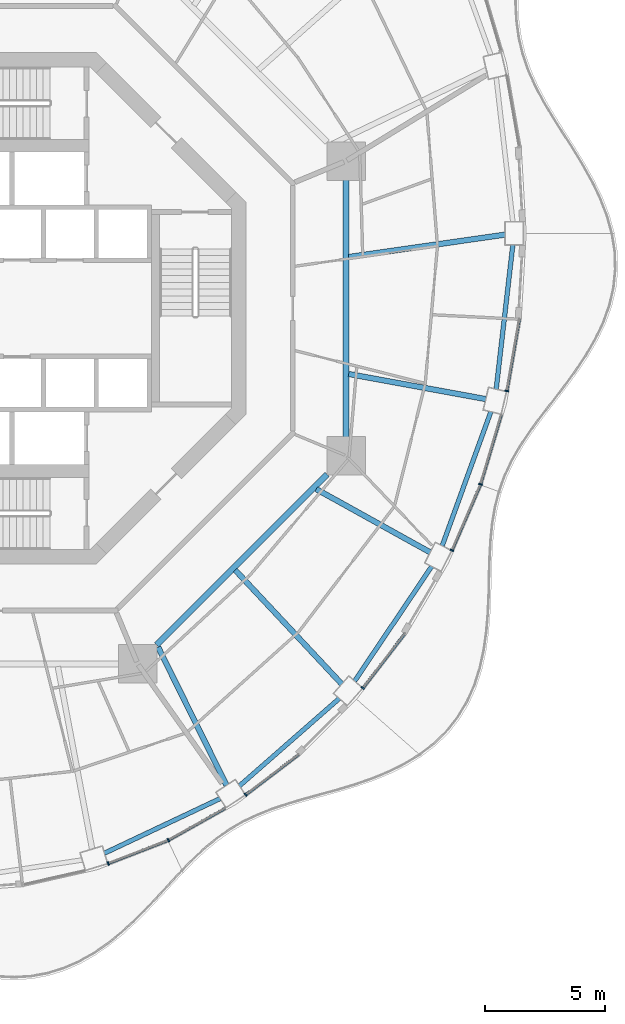
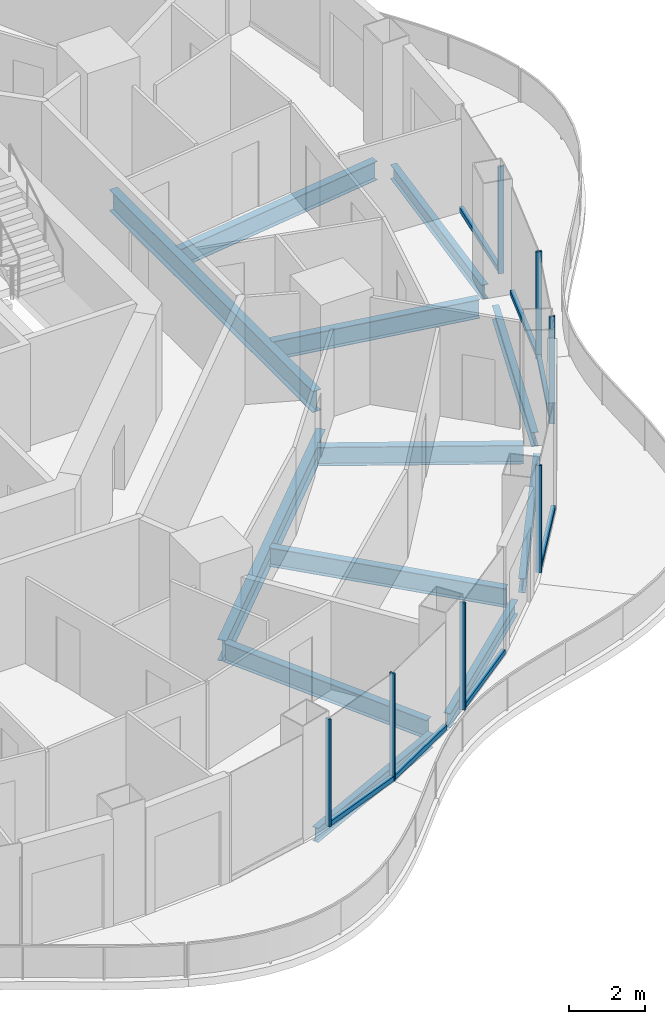
# One storey, part 4 of 18: 14 members, 12 beams, 7 elements without a shape of their own.
"""IFC4 building model written with IfcOpenShell, lengths in metres."""

from ifc_helpers import new_model, si_unit, direction, frame, origin, origin_2d, place, context, subcontext, project, spatial, rectangle, i_section, extrude, material, layer, layer_set, material_profile, profile_set, type_object, element, aggregate, save


model = new_model("IFC4")

# Units and contexts
model_context = context("Model", 3, precision=1e-05, world=origin(), true_north=direction((0.0, 1.0)))
body_context = subcontext(model_context, "Body", "Model", "MODEL_VIEW")
ifc_project = project(units=[si_unit("LENGTHUNIT", "METRE"), si_unit("AREAUNIT", "SQUARE_METRE"), si_unit("VOLUMEUNIT", "CUBIC_METRE"), si_unit("PLANEANGLEUNIT", "RADIAN"), si_unit("MASSUNIT", "GRAM", prefix="KILO")], contexts=[model_context])

# Site, building, storey
site_placement = place(None, origin())
site = spatial("IfcSite", under=ifc_project, at=site_placement, CompositionType="ELEMENT")
building_placement = place(site_placement, origin())
building = spatial("IfcBuilding", under=site, at=building_placement, Name="Nagisa Residences", CompositionType="ELEMENT")
storey_placement = place(building_placement, frame((0.0, 0.0, 219.60009765625)))
storey = spatial("IfcBuildingStorey", under=building, at=storey_placement, Name="L55", CompositionType="ELEMENT", Elevation=219.60009765625)

# Curtain wall, member
ifc_material_1 = material(Name="Concrete-coloured aluminium curtain wall system", Category="concrete")
ifc_layer = layer(ifc_material_1, 0.159912109375)
ifc_layer_set = layer_set([ifc_layer], Name="CW1 CURTAIN WALL")
curtain_wall_type = type_object("IfcCurtainWallType", Name="CW1 CURTAIN WALL", PredefinedType="NOTDEFINED", material=ifc_layer_set)
curtain_wall_1_placement = place(storey_placement, origin())
curtain_wall_1 = element("IfcCurtainWall", 1, at=curtain_wall_1_placement, inside=storey, type_object=curtain_wall_type, Name="cw:CW1:L55:38", PredefinedType="NOTDEFINED")
ifc_material_2 = material(Name="Concrete-coloured aluminium", Category="concrete")
ifc_material_profile_1 = material_profile(ifc_material_2, rectangle(XDim=0.159912109375, YDim=0.06005859375, at=origin_2d()), Name="CW1 MULLION 160x60")
ifc_profile_set_1 = profile_set([ifc_material_profile_1], Name="Concrete-coloured aluminium")
member_type_1 = type_object("IfcMemberType", Name="CW1 MULLION 160x60", PredefinedType="MULLION", material=ifc_profile_set_1)
member_1_placement = place(storey_placement, frame((4.895263671875, -23.073486328125, 0.0), z_axis=(0.0, 0.0, 1.0), x_axis=(-0.360327770268, 0.932825759707, 0.0)))
member_1 = element("IfcMember", 2, at=member_1_placement, type_object=member_type_1, Name="CW1 mullion", PredefinedType="MULLION", context=body_context, shape_type="SweptSolid", body=[
    extrude(rectangle(XDim=0.159912109375, YDim=0.06005859375, at=origin_2d()), origin(), (0.0, 0.0, 1.0), 3.43994140625),
])

curtain_wall_2_placement = place(storey_placement, origin())
curtain_wall_2 = element("IfcCurtainWall", 3, at=curtain_wall_2_placement, inside=storey, type_object=curtain_wall_type, Name="cw:CW1:L55:39", PredefinedType="NOTDEFINED")
member_2_placement = place(storey_placement, frame((7.398193359375, -22.10302734375, 0.0), z_axis=(0.0, 0.0, 1.0), x_axis=(-0.489376918501, 0.872072377523, 0.0)))
member_2 = element("IfcMember", 4, at=member_2_placement, type_object=member_type_1, Name="CW1 mullion", PredefinedType="MULLION", context=body_context, shape_type="SweptSolid", body=[
    extrude(rectangle(XDim=0.159912109375, YDim=0.06005859375, at=origin_2d()), origin(), (0.0, 0.0, 1.0), 3.43994140625),
])

curtain_wall_3_placement = place(storey_placement, origin())
curtain_wall_3 = element("IfcCurtainWall", 5, at=curtain_wall_3_placement, inside=storey, type_object=curtain_wall_type, Name="cw:CW1:L55:40", PredefinedType="NOTDEFINED")
member_3_placement = place(storey_placement, frame((10.6083984375, -20.21826171875, 0.0), z_axis=(0.0, 0.0, 1.0), x_axis=(-0.605255421737, 0.79603132756, 0.0)))
member_3 = element("IfcMember", 6, at=member_3_placement, type_object=member_type_1, Name="CW1 mullion", PredefinedType="MULLION", context=body_context, shape_type="SweptSolid", body=[
    extrude(rectangle(XDim=0.159912109375, YDim=0.06005859375, at=origin_2d()), origin(), (0.0, 0.0, 1.0), 3.43994140625),
])

curtain_wall_4_placement = place(storey_placement, origin())
curtain_wall_4 = element("IfcCurtainWall", 7, at=curtain_wall_4_placement, inside=storey, type_object=curtain_wall_type, Name="cw:CW1:L55:42", PredefinedType="NOTDEFINED")
member_4_placement = place(storey_placement, frame((15.480224609375, -15.78125, 0.0), z_axis=(0.0, 0.0, 1.0), x_axis=(-0.792070340816, 0.610429828235, 0.0)))
member_4 = element("IfcMember", 8, at=member_4_placement, type_object=member_type_1, Name="CW1 mullion", PredefinedType="MULLION", context=body_context, shape_type="SweptSolid", body=[
    extrude(rectangle(XDim=0.159912109375, YDim=0.06005859375, at=origin_2d()), origin(), (0.0, 0.0, 1.0), 3.43994140625),
])

curtain_wall_5_placement = place(storey_placement, origin())
curtain_wall_5 = element("IfcCurtainWall", 9, at=curtain_wall_5_placement, inside=storey, type_object=curtain_wall_type, Name="cw:CW1:L55:44", PredefinedType="NOTDEFINED")
member_5_placement = place(storey_placement, frame((19.1826171875, -10.05908203125, 0.0), z_axis=(0.0, 0.0, 1.0), x_axis=(-0.917543276295, 0.397635934147, 0.0)))
member_5 = element("IfcMember", 10, at=member_5_placement, type_object=member_type_1, Name="CW1 mullion", PredefinedType="MULLION", context=body_context, shape_type="SweptSolid", body=[
    extrude(rectangle(XDim=0.159912109375, YDim=0.06005859375, at=origin_2d()), origin(), (0.0, 0.0, 1.0), 3.43994140625),
])

curtain_wall_6_placement = place(storey_placement, origin())
curtain_wall_6 = element("IfcCurtainWall", 11, at=curtain_wall_6_placement, inside=storey, type_object=curtain_wall_type, Name="cw:CW1:L55:45", PredefinedType="NOTDEFINED")
member_6_placement = place(storey_placement, frame((20.36962890625, -7.3125, 0.0), z_axis=(0.0, 0.0, 1.0), x_axis=(-0.958271310082, 0.285860274038, 0.0)))
member_6 = element("IfcMember", 12, at=member_6_placement, type_object=member_type_1, Name="CW1 mullion", PredefinedType="MULLION", context=body_context, shape_type="SweptSolid", body=[
    extrude(rectangle(XDim=0.159912109375, YDim=0.06005859375, at=origin_2d()), origin(), (0.0, 0.0, 1.0), 3.43994140625),
])

curtain_wall_7_placement = place(storey_placement, origin())
curtain_wall_7 = element("IfcCurtainWall", 13, at=curtain_wall_7_placement, inside=storey, type_object=curtain_wall_type, Name="cw:CW1:L55:46", PredefinedType="NOTDEFINED")
member_7_placement = place(storey_placement, frame((21.46240234375, -3.435546875, 0.0), z_axis=(0.0, 0.0, 1.0), x_axis=(-0.985063604377, 0.172190868898, 0.0)))
member_7 = element("IfcMember", 14, at=member_7_placement, type_object=member_type_1, Name="CW1 mullion", PredefinedType="MULLION", context=body_context, shape_type="SweptSolid", body=[
    extrude(rectangle(XDim=0.159912109375, YDim=0.06005859375, at=origin_2d()), origin(), (0.0, 0.0, 1.0), 3.43994140625),
])

# Member
ifc_material_3 = material(Name="Concrete-coloured aluminium", Category="concrete")
ifc_material_profile_2 = material_profile(ifc_material_3, rectangle(XDim=0.1201171875, YDim=0.14990234375, at=origin_2d()), Name="CW1 TRANSOM 120x150")
ifc_profile_set_2 = profile_set([ifc_material_profile_2], Name="Concrete-coloured aluminium")
member_type_2 = type_object("IfcMemberType", Name="CW1 TRANSOM 120x150", PredefinedType="USERDEFINED", material=ifc_profile_set_2)
member_8_placement = place(storey_placement, frame((4.867431640625, -23.084228515625, 0.074951171875), z_axis=(0.932826499224, 0.360325855782, 0.0), x_axis=(-0.360325855782, 0.932826499224, 0.0)))
member_8 = element("IfcMember", 15, at=member_8_placement, type_object=member_type_2, Name="CW1 transom", ObjectType="TRANSOM", PredefinedType="USERDEFINED", context=body_context, shape_type="SweptSolid", body=[
    extrude(rectangle(XDim=0.1201171875, YDim=0.14990234375, at=origin_2d()), origin(), (0.0, 0.0, 1.0), 2.696044921875),
])

aggregate(curtain_wall_1, [member_1, member_8])

member_9_placement = place(storey_placement, frame((7.3720703125, -22.11767578125, 0.074951171875), z_axis=(0.872041873719, 0.489431272479, 0.0), x_axis=(-0.489431272479, 0.872041873719, 0.0)))
member_9 = element("IfcMember", 16, at=member_9_placement, type_object=member_type_2, Name="CW1 transom", ObjectType="TRANSOM", PredefinedType="USERDEFINED", context=body_context, shape_type="SweptSolid", body=[
    extrude(rectangle(XDim=0.1201171875, YDim=0.14990234375, at=origin_2d()), origin(), (0.0, 0.0, 1.0), 2.738037109375),
])

aggregate(curtain_wall_2, [member_2, member_9])

member_10_placement = place(storey_placement, frame((10.584716796875, -20.236328125, 0.074951171875), z_axis=(0.796032266948, 0.605254186253, 0.0), x_axis=(-0.605254186253, 0.796032266948, 0.0)))
member_10 = element("IfcMember", 17, at=member_10_placement, type_object=member_type_2, Name="CW1 transom", ObjectType="TRANSOM", PredefinedType="USERDEFINED", context=body_context, shape_type="SweptSolid", body=[
    extrude(rectangle(XDim=0.1201171875, YDim=0.14990234375, at=origin_2d()), origin(), (0.0, 0.0, 1.0), 2.78857421875),
])

aggregate(curtain_wall_3, [member_3, member_10])

member_11_placement = place(storey_placement, frame((15.4619140625, -15.80517578125, 0.074951171875), z_axis=(0.610438565676, 0.792063607001, 0.0), x_axis=(-0.792063607001, 0.610438565676, 0.0)))
member_11 = element("IfcMember", 18, at=member_11_placement, type_object=member_type_2, Name="CW1 transom", ObjectType="TRANSOM", PredefinedType="USERDEFINED", context=body_context, shape_type="SweptSolid", body=[
    extrude(rectangle(XDim=0.1201171875, YDim=0.14990234375, at=origin_2d()), origin(), (0.0, 0.0, 1.0), 2.90087890625),
])

aggregate(curtain_wall_4, [member_4, member_11])

member_12_placement = place(storey_placement, frame((19.170654296875, -10.086669921875, 0.074951171875), z_axis=(0.397616567135, 0.917551669139, 0.0), x_axis=(-0.917551669139, 0.397616567135, 0.0)))
member_12 = element("IfcMember", 19, at=member_12_placement, type_object=member_type_2, Name="CW1 transom", ObjectType="TRANSOM", PredefinedType="USERDEFINED", context=body_context, shape_type="SweptSolid", body=[
    extrude(rectangle(XDim=0.1201171875, YDim=0.14990234375, at=origin_2d()), origin(), (0.0, 0.0, 1.0), 3.001953125),
])

aggregate(curtain_wall_5, [member_5, member_12])

member_13_placement = place(storey_placement, frame((20.361083984375, -7.341064453125, 0.074951171875), z_axis=(0.285881452443, 0.958264992134, 0.0), x_axis=(-0.958264992134, 0.285881452443, 0.0)))
member_13 = element("IfcMember", 20, at=member_13_placement, type_object=member_type_2, Name="CW1 transom", ObjectType="TRANSOM", PredefinedType="USERDEFINED", context=body_context, shape_type="SweptSolid", body=[
    extrude(rectangle(XDim=0.1201171875, YDim=0.14990234375, at=origin_2d()), origin(), (0.0, 0.0, 1.0), 3.040283203125),
])

aggregate(curtain_wall_6, [member_6, member_13])

member_14_placement = place(storey_placement, frame((21.45703125, -3.465087890625, 0.074951171875), z_axis=(0.172241318156, 0.985054784426, 0.0), x_axis=(-0.985054784426, 0.172241318156, 0.0)))
member_14 = element("IfcMember", 21, at=member_14_placement, type_object=member_type_2, Name="CW1 transom", ObjectType="TRANSOM", PredefinedType="USERDEFINED", context=body_context, shape_type="SweptSolid", body=[
    extrude(rectangle(XDim=0.1201171875, YDim=0.14990234375, at=origin_2d()), origin(), (0.0, 0.0, 1.0), 3.0673828125),
])

aggregate(curtain_wall_7, [member_7, member_14])

# Beams
ifc_material_4 = material(Name="Steel ASTM A572 Gr 50", Category="steel")
ifc_material_profile_3 = material_profile(ifc_material_4, i_section(OverallWidth=0.2529296875, OverallDepth=0.677978515625, WebThickness=0.01171875, FlangeThickness=0.016357421875, at=origin_2d()), Name="W690x125")
ifc_profile_set_3 = profile_set([ifc_material_profile_3], Name="Steel ASTM A572 Gr 50")
beam_type_1 = type_object("IfcBeamType", Name="Inner ring beam W690x125", PredefinedType="BEAM", material=ifc_profile_set_3)
beam_1_placement = place(storey_placement, frame((6.90869140625, -13.99609375, -0.59912109375), z_axis=(0.707106781187, 0.707106781187, 0.0), x_axis=(-0.707106781187, 0.707106781187, 0.0)))
element("IfcBeam", 22, at=beam_1_placement, inside=storey, type_object=beam_type_1, Name="beam:L55:ib7", PredefinedType="BEAM", context=body_context, shape_type="SweptSolid", body=[
    extrude(i_section(OverallWidth=0.2529296875, OverallDepth=0.677978515625, WebThickness=0.01171875, FlangeThickness=0.016357421875, at=origin_2d()), origin(), (0.0, 0.0, 1.0), 10.023193359375),
])
beam_2_placement = place(storey_placement, frame((14.781982421875, -5.343017578125, -0.59912109375), z_axis=(0.0, 1.0, 0.0), x_axis=(-1.0, 0.0, 0.0)))
element("IfcBeam", 23, at=beam_2_placement, inside=storey, type_object=beam_type_1, Name="beam:L55:ib8", PredefinedType="BEAM", context=body_context, shape_type="SweptSolid", body=[
    extrude(i_section(OverallWidth=0.2529296875, OverallDepth=0.677978515625, WebThickness=0.01171875, FlangeThickness=0.016357421875, at=origin_2d()), origin(), (0.0, 0.0, 1.0), 10.68603515625),
])
ifc_material_5 = material(Name="Steel ASTM A572 Gr 50", Category="steel")
ifc_material_profile_4 = material_profile(ifc_material_5, i_section(OverallWidth=0.18994140625, OverallDepth=0.45703125, WebThickness=0.009033203125, FlangeThickness=0.014404296875, at=origin_2d()), Name="W460x74")
ifc_profile_set_4 = profile_set([ifc_material_profile_4], Name="Steel ASTM A572 Gr 50")
beam_type_2 = type_object("IfcBeamType", Name="Perimeter ring beam W460x74", PredefinedType="BEAM", material=ifc_profile_set_4)
beam_3_placement = place(storey_placement, frame((4.7392578125, -22.648681640625, -0.488525390625), z_axis=(0.904133867308, 0.42724928319, 0.0), x_axis=(-0.42724928319, 0.904133867308, 0.0)))
element("IfcBeam", 24, at=beam_3_placement, inside=storey, type_object=beam_type_2, Name="beam:L55:pb20", PredefinedType="BEAM", context=body_context, shape_type="SweptSolid", body=[
    extrude(i_section(OverallWidth=0.18994140625, OverallDepth=0.45703125, WebThickness=0.009033203125, FlangeThickness=0.014404296875, at=origin_2d()), origin(), (0.0, 0.0, 1.0), 5.317138671875),
])
beam_4_placement = place(storey_placement, frame((10.349853515625, -19.850341796875, -0.488525390625), z_axis=(0.75242320672, 0.65867998147, 0.0), x_axis=(-0.65867998147, 0.75242320672, 0.0)))
element("IfcBeam", 25, at=beam_4_placement, inside=storey, type_object=beam_type_2, Name="beam:L55:pb21", PredefinedType="BEAM", context=body_context, shape_type="SweptSolid", body=[
    extrude(i_section(OverallWidth=0.18994140625, OverallDepth=0.45703125, WebThickness=0.009033203125, FlangeThickness=0.014404296875, at=origin_2d()), origin(), (0.0, 0.0, 1.0), 5.5185546875),
])
beam_5_placement = place(storey_placement, frame((15.13671875, -15.49462890625, -0.488525390625), z_axis=(0.558109119402, 0.829767564345, 0.0), x_axis=(-0.829767564345, 0.558109119402, 0.0)))
element("IfcBeam", 26, at=beam_5_placement, inside=storey, type_object=beam_type_2, Name="beam:L55:pb22", PredefinedType="BEAM", context=body_context, shape_type="SweptSolid", body=[
    extrude(i_section(OverallWidth=0.18994140625, OverallDepth=0.45703125, WebThickness=0.009033203125, FlangeThickness=0.014404296875, at=origin_2d()), origin(), (0.0, 0.0, 1.0), 5.74365234375),
])
beam_6_placement = place(storey_placement, frame((18.77734375, -9.87255859375, -0.488525390625), z_axis=(0.341290329164, 0.939957930558, 0.0), x_axis=(-0.939957930558, 0.341290329164, 0.0)))
element("IfcBeam", 27, at=beam_6_placement, inside=storey, type_object=beam_type_2, Name="beam:L55:pb23", PredefinedType="BEAM", context=body_context, shape_type="SweptSolid", body=[
    extrude(i_section(OverallWidth=0.18994140625, OverallDepth=0.45703125, WebThickness=0.009033203125, FlangeThickness=0.014404296875, at=origin_2d()), origin(), (0.0, 0.0, 1.0), 5.932373046875),
])
beam_7_placement = place(storey_placement, frame((21.022216796875, -3.36181640625, -0.488525390625), z_axis=(0.114650193512, 0.993405925656, 0.0), x_axis=(-0.993405925656, 0.114650193512, 0.0)))
element("IfcBeam", 28, at=beam_7_placement, inside=storey, type_object=beam_type_2, Name="beam:L55:pb24", PredefinedType="BEAM", context=body_context, shape_type="SweptSolid", body=[
    extrude(i_section(OverallWidth=0.18994140625, OverallDepth=0.45703125, WebThickness=0.009033203125, FlangeThickness=0.014404296875, at=origin_2d()), origin(), (0.0, 0.0, 1.0), 6.0390625),
])
ifc_material_6 = material(Name="Steel ASTM A572 Gr 50", Category="steel")
ifc_material_profile_5 = material_profile(ifc_material_6, i_section(OverallWidth=0.22802734375, OverallDepth=0.60302734375, WebThickness=0.010498046875, FlangeThickness=0.014892578125, at=origin_2d()), Name="W610x101")
ifc_profile_set_5 = profile_set([ifc_material_profile_5], Name="Steel ASTM A572 Gr 50")
beam_type_3 = type_object("IfcBeamType", Name="Radial beam W610x101", PredefinedType="BEAM", material=ifc_profile_set_5)
beam_8_placement = place(storey_placement, frame((21.389892578125, 3.063232421875, -0.5615234375), z_axis=(-0.989903345459, -0.141744018034, 0.0), x_axis=(0.141744018034, -0.989903345459, 0.0)))
element("IfcBeam", 29, at=beam_8_placement, inside=storey, type_object=beam_type_3, Name="beam:L55:rb01", PredefinedType="BEAM", context=body_context, shape_type="SweptSolid", body=[
    extrude(i_section(OverallWidth=0.22802734375, OverallDepth=0.60302734375, WebThickness=0.010498046875, FlangeThickness=0.014892578125, at=origin_2d()), origin(), (0.0, 0.0, 1.0), 6.567626953125),
])
beam_9_placement = place(storey_placement, frame((9.815185546875, -19.826416015625, -0.5615234375), z_axis=(-0.443658666969, 0.896195842003, 0.0), x_axis=(-0.896195842003, -0.443658666969, 0.0)))
element("IfcBeam", 30, at=beam_9_placement, inside=storey, type_object=beam_type_3, Name="beam:L55:rb21", PredefinedType="BEAM", context=body_context, shape_type="SweptSolid", body=[
    extrude(i_section(OverallWidth=0.22802734375, OverallDepth=0.60302734375, WebThickness=0.010498046875, FlangeThickness=0.014892578125, at=origin_2d()), origin(), (0.0, 0.0, 1.0), 6.406982421875),
])
beam_10_placement = place(storey_placement, frame((14.605712890625, -15.617431640625, -0.5615234375), z_axis=(-0.683072943543, 0.730350158349, 0.0), x_axis=(-0.730350158349, -0.683072943543, 0.0)))
element("IfcBeam", 31, at=beam_10_placement, inside=storey, type_object=beam_type_3, Name="beam:L55:rb22", PredefinedType="BEAM", context=body_context, shape_type="SweptSolid", body=[
    extrude(i_section(OverallWidth=0.22802734375, OverallDepth=0.60302734375, WebThickness=0.010498046875, FlangeThickness=0.014892578125, at=origin_2d()), origin(), (0.0, 0.0, 1.0), 6.486083984375),
])
beam_11_placement = place(storey_placement, frame((18.27978515625, -10.142822265625, -0.5615234375), z_axis=(-0.874405859214, 0.485195211614, 0.0), x_axis=(-0.485195211614, -0.874405859214, 0.0)))
element("IfcBeam", 32, at=beam_11_placement, inside=storey, type_object=beam_type_3, Name="beam:L55:rb23", PredefinedType="BEAM", context=body_context, shape_type="SweptSolid", body=[
    extrude(i_section(OverallWidth=0.22802734375, OverallDepth=0.60302734375, WebThickness=0.010498046875, FlangeThickness=0.014892578125, at=origin_2d()), origin(), (0.0, 0.0, 1.0), 5.417724609375),
])
beam_12_placement = place(storey_placement, frame((20.592529296875, -3.7734375, -0.5615234375), z_axis=(-0.983621738755, 0.180245041675, 0.0), x_axis=(-0.180245041675, -0.983621738755, 0.0)))
element("IfcBeam", 33, at=beam_12_placement, inside=storey, type_object=beam_type_3, Name="beam:L55:rb24", PredefinedType="BEAM", context=body_context, shape_type="SweptSolid", body=[
    extrude(i_section(OverallWidth=0.22802734375, OverallDepth=0.60302734375, WebThickness=0.010498046875, FlangeThickness=0.014892578125, at=origin_2d()), origin(), (0.0, 0.0, 1.0), 5.798583984375),
])

save(model, "model.ifc")
